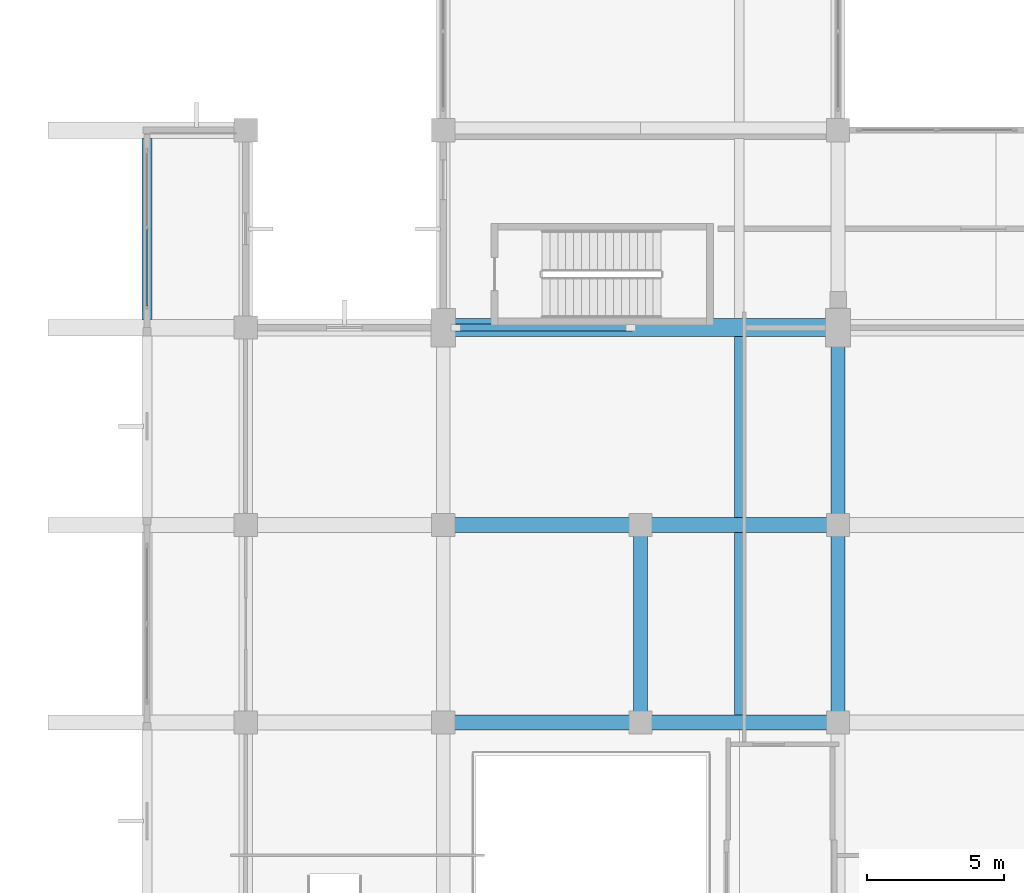
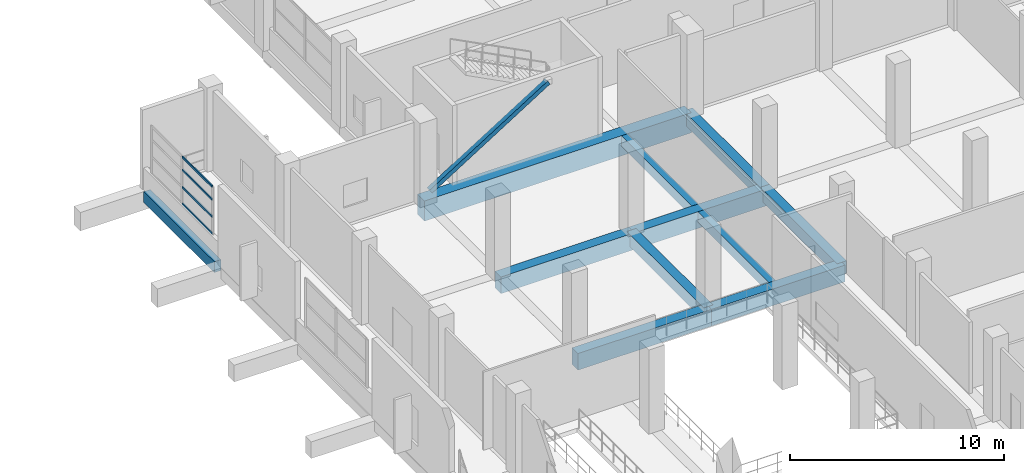
# One storey, part 63 of 181: 11 beams, 5 members, 1 element without a shape of its own.
"""IFC4 building model written with IfcOpenShell, lengths in metres."""

from ifc_helpers import new_model, si_unit, direction, frame, origin, origin_2d, place, context, subcontext, project, spatial, rectangle, hollow_rectangle, extrude, material, layer, layer_set, material_profile, profile_set, type_object, element, aggregate, save


model = new_model("IFC4")

# Units and contexts
model_context = context("Model", 3, precision=1e-05, world=origin(), true_north=direction((0.0, 1.0)))
body_context = subcontext(model_context, "Body", "Model", "MODEL_VIEW")
ifc_project = project(units=[si_unit("LENGTHUNIT", "METRE"), si_unit("AREAUNIT", "SQUARE_METRE"), si_unit("VOLUMEUNIT", "CUBIC_METRE"), si_unit("PLANEANGLEUNIT", "RADIAN"), si_unit("MASSUNIT", "GRAM", prefix="KILO")], contexts=[model_context])

# Site, building, storey
site_placement = place(None, origin())
site = spatial("IfcSite", under=ifc_project, at=site_placement, CompositionType="ELEMENT")
building_placement = place(site_placement, origin())
building = spatial("IfcBuilding", under=site, at=building_placement, Name="Seraya Terrace Polytechnic", CompositionType="ELEMENT")
storey_placement = place(building_placement, frame((0.0, 0.0, 4.800048828125)))
storey = spatial("IfcBuildingStorey", under=building, at=storey_placement, Name="L01", CompositionType="ELEMENT", Elevation=4.800048828125)

# Beams
ifc_material_1 = material(Name="Concrete C40/50", Category="concrete")
ifc_material_profile_1 = material_profile(ifc_material_1, rectangle(XDim=0.64990234375, YDim=1.14990234375, at=origin_2d()), Name="RC 650x1150")
ifc_profile_set_1 = profile_set([ifc_material_profile_1], Name="Concrete C40/50")
beam_type_1 = type_object("IfcBeamType", Name="BG-02", PredefinedType="USERDEFINED", material=ifc_profile_set_1)
beam_1_placement = place(storey_placement, frame((14.39990234375, 79.199951171875, -0.574951171875), z_axis=(1.0, 0.0, 0.0), x_axis=(0.0, 1.0, 0.0)))
element("IfcBeam", 1, at=beam_1_placement, inside=storey, type_object=beam_type_1, Name="Beam BG-02 L01 X (14.4..28.8, 79.2)", ObjectType="GIRDER", PredefinedType="USERDEFINED", context=body_context, shape_type="SweptSolid", body=[
    extrude(rectangle(XDim=0.64990234375, YDim=1.14990234375, at=origin_2d()), origin(), (0.0, 0.0, 1.0), 14.400146484375),
])
ifc_material_profile_2 = material_profile(ifc_material_1, rectangle(XDim=0.550048828125, YDim=0.949951171875, at=origin_2d()), Name="RC 550x950")
ifc_profile_set_2 = profile_set([ifc_material_profile_2], Name="Concrete C40/50")
beam_type_2 = type_object("IfcBeamType", Name="BM-03", PredefinedType="BEAM", material=ifc_profile_set_2)
beam_2_placement = place(storey_placement, frame((14.39990234375, 64.800048828125, -0.47509765625), z_axis=(1.0, 0.0, 0.0), x_axis=(0.0, 1.0, 0.0)))
element("IfcBeam", 2, at=beam_2_placement, inside=storey, type_object=beam_type_2, Name="Beam BM-03 L01 X (14.4..21.6, 64.8)", PredefinedType="BEAM", context=body_context, shape_type="SweptSolid", body=[
    extrude(rectangle(XDim=0.550048828125, YDim=0.949951171875, at=origin_2d()), origin(), (0.0, 0.0, 1.0), 7.2001953125),
])
beam_3_placement = place(storey_placement, frame((21.60009765625, 64.800048828125, -0.47509765625), z_axis=(1.0, 0.0, 0.0), x_axis=(0.0, 1.0, 0.0)))
element("IfcBeam", 3, at=beam_3_placement, inside=storey, type_object=beam_type_2, Name="Beam BM-03 L01 X (21.6..28.8, 64.8)", PredefinedType="BEAM", context=body_context, shape_type="SweptSolid", body=[
    extrude(rectangle(XDim=0.550048828125, YDim=0.949951171875, at=origin_2d()), origin(), (0.0, 0.0, 1.0), 7.199951171875),
])
beam_4_placement = place(storey_placement, frame((14.39990234375, 72.0, -0.47509765625), z_axis=(1.0, 0.0, 0.0), x_axis=(0.0, 1.0, 0.0)))
element("IfcBeam", 4, at=beam_4_placement, inside=storey, type_object=beam_type_2, Name="Beam BM-03 L01 X (14.4..21.6, 72.0)", PredefinedType="BEAM", context=body_context, shape_type="SweptSolid", body=[
    extrude(rectangle(XDim=0.550048828125, YDim=0.949951171875, at=origin_2d()), origin(), (0.0, 0.0, 1.0), 7.2001953125),
])
beam_5_placement = place(storey_placement, frame((21.60009765625, 72.0, -0.47509765625), z_axis=(1.0, 0.0, 0.0), x_axis=(0.0, 1.0, 0.0)))
element("IfcBeam", 5, at=beam_5_placement, inside=storey, type_object=beam_type_2, Name="Beam BM-03 L01 X (21.6..28.8, 72.0)", PredefinedType="BEAM", context=body_context, shape_type="SweptSolid", body=[
    extrude(rectangle(XDim=0.550048828125, YDim=0.949951171875, at=origin_2d()), origin(), (0.0, 0.0, 1.0), 7.199951171875),
])
ifc_material_profile_3 = material_profile(ifc_material_1, rectangle(XDim=0.5, YDim=0.699951171875, at=origin_2d()), Name="RC 500x700")
ifc_profile_set_3 = profile_set([ifc_material_profile_3], Name="Concrete C40/50")
beam_type_3 = type_object("IfcBeamType", Name="BM-07", PredefinedType="BEAM", material=ifc_profile_set_3)
for number, where, z_axis, x_axis, name in (
    (6, (21.60009765625, 64.800048828125, -0.35009765625), (0.0, 1.0, 0.0), (-1.0, 0.0, 0.0), "Beam BM-07 L01 Y (21.6, 64.8..72.0)"),
    (7, (28.800048828125, 64.800048828125, -0.35009765625), (0.0, 1.0, 0.0), (-1.0, 0.0, 0.0), "Beam BM-07 L01 Y (28.8, 64.8..72.0)"),
    (8, (28.800048828125, 72.0, -0.35009765625), (0.0, 1.0, 0.0), (-1.0, 0.0, 0.0), "Beam BM-07 L01 Y (28.8, 72.0..79.2)"),
):
    element("IfcBeam", number, at=place(storey_placement, frame(where, z_axis=z_axis, x_axis=x_axis)), inside=storey, type_object=beam_type_3, Name=name, PredefinedType="BEAM", context=body_context, shape_type="SweptSolid", body=[
        extrude(rectangle(XDim=0.5, YDim=0.699951171875, at=origin_2d()), origin(), (0.0, 0.0, 1.0), 7.199951171875),
    ])

# Member
ifc_material_2 = material(Name="Steel S355J2", Category="steel")
ifc_material_profile_4 = material_profile(ifc_material_2, hollow_rectangle(XDim=0.25, YDim=0.25, WallThickness=0.012451171875, at=origin_2d()), Name="SHS 250x250x12.5")
ifc_profile_set_4 = profile_set([ifc_material_profile_4], Name="Steel S355J2")
member_type_1 = type_object("IfcMemberType", Name="BR-04", PredefinedType="BRACE", material=ifc_profile_set_4)
member_1_placement = place(storey_placement, frame((14.864990234375, 79.199951171875, 0.25), z_axis=(0.846880470544, 0.0, 0.531783291024), x_axis=(0.0, 1.0, 0.0)))
element("IfcMember", 9, at=member_1_placement, inside=storey, type_object=member_type_1, Name="Solid-bay vertical wind brace L01 SW", PredefinedType="BRACE", context=body_context, shape_type="SweptSolid", body=[
    extrude(hollow_rectangle(XDim=0.25, YDim=0.25, WallThickness=0.012451171875, at=origin_2d()), origin(), (0.0, 0.0, 1.0), 7.52197265625),
])

# Curtain wall, members
ifc_material_3 = material(Name="Anodised aluminium EN AW-6063 T6", Category="aluminium")
ifc_layer = layer(ifc_material_3, 0.179931640625, Name="CW-05")
ifc_layer_set = layer_set([ifc_layer], Name="Anodised aluminium EN AW-6063 T6")
curtain_wall_type = type_object("IfcCurtainWallType", Name="CW-05", PredefinedType="NOTDEFINED", material=ifc_layer_set)
curtain_wall_placement = place(storey_placement, origin())
curtain_wall = element("IfcCurtainWall", 10, at=curtain_wall_placement, inside=storey, type_object=curtain_wall_type, Name="Unitised curtain wall CW-05 (CW-L01-005)", PredefinedType="NOTDEFINED")
ifc_material_profile_5 = material_profile(ifc_material_3, hollow_rectangle(XDim=0.06005859375, YDim=0.1201171875, WallThickness=0.003173828125, at=origin_2d()), Name="RHS 120x60x3.2")
ifc_profile_set_5 = profile_set([ifc_material_profile_5], Name="Anodised aluminium EN AW-6063 T6")
member_type_2 = type_object("IfcMemberType", Name="CWT-02", PredefinedType="USERDEFINED", material=ifc_profile_set_5)
member_2_placement = place(storey_placement, frame((3.60009765625, 79.97998046875, 1.27001953125), z_axis=(0.0, 1.0, 0.0), x_axis=(-1.0, 0.0, 0.0)))
member_2 = element("IfcMember", 11, at=member_2_placement, type_object=member_type_2, Name="CW-05 transom 1.1", ObjectType="TRANSOM", PredefinedType="USERDEFINED", context=body_context, shape_type="SweptSolid", body=[
    extrude(hollow_rectangle(XDim=0.06005859375, YDim=0.1201171875, WallThickness=0.003173828125, at=origin_2d()), origin(), (0.0, 0.0, 1.0), 2.7900390625),
])
member_3_placement = place(storey_placement, frame((3.60009765625, 79.97998046875, 2.21923828125), z_axis=(0.0, 1.0, 0.0), x_axis=(-1.0, 0.0, 0.0)))
member_3 = element("IfcMember", 12, at=member_3_placement, type_object=member_type_2, Name="CW-05 transom 1.2", ObjectType="TRANSOM", PredefinedType="USERDEFINED", context=body_context, shape_type="SweptSolid", body=[
    extrude(hollow_rectangle(XDim=0.06005859375, YDim=0.1201171875, WallThickness=0.003173828125, at=origin_2d()), origin(), (0.0, 0.0, 1.0), 2.7900390625),
])
member_4_placement = place(storey_placement, frame((3.60009765625, 79.97998046875, 3.1982421875), z_axis=(0.0, 1.0, 0.0), x_axis=(-1.0, 0.0, 0.0)))
member_4 = element("IfcMember", 13, at=member_4_placement, type_object=member_type_2, Name="CW-05 transom 1.3", ObjectType="TRANSOM", PredefinedType="USERDEFINED", context=body_context, shape_type="SweptSolid", body=[
    extrude(hollow_rectangle(XDim=0.06005859375, YDim=0.1201171875, WallThickness=0.003173828125, at=origin_2d()), origin(), (0.0, 0.0, 1.0), 2.7900390625),
])
member_5_placement = place(storey_placement, frame((3.60009765625, 79.97998046875, 3.929931640625), z_axis=(0.0, 1.0, 0.0), x_axis=(-1.0, 0.0, 0.0)))
member_5 = element("IfcMember", 14, at=member_5_placement, type_object=member_type_2, Name="CW-05 transom 1.4", ObjectType="TRANSOM", PredefinedType="USERDEFINED", context=body_context, shape_type="SweptSolid", body=[
    extrude(hollow_rectangle(XDim=0.06005859375, YDim=0.1201171875, WallThickness=0.003173828125, at=origin_2d()), origin(), (0.0, 0.0, 1.0), 2.7900390625),
])
aggregate(curtain_wall, [member_2, member_3, member_4, member_5])

# Beams
ifc_material_profile_6 = material_profile(ifc_material_1, rectangle(XDim=0.360107421875, YDim=0.6201171875, at=origin_2d()), Name="RC 360x620")
ifc_profile_set_6 = profile_set([ifc_material_profile_6], Name="Concrete C40/50")
beam_type_4 = type_object("IfcBeamType", Name="JS-01", PredefinedType="JOIST", material=ifc_profile_set_6)
beam_6_placement = place(storey_placement, frame((3.60009765625, 79.5, -0.31005859375), z_axis=(0.0, 1.0, 0.0), x_axis=(-1.0, 0.0, 0.0)))
element("IfcBeam", 15, at=beam_6_placement, inside=storey, type_object=beam_type_4, Name="Secondary joist JS-01 L01", PredefinedType="JOIST", context=body_context, shape_type="SweptSolid", body=[
    extrude(rectangle(XDim=0.360107421875, YDim=0.6201171875, at=origin_2d()), origin(), (0.0, 0.0, 1.0), 6.60009765625),
])
ifc_material_profile_7 = material_profile(ifc_material_1, rectangle(XDim=0.35009765625, YDim=0.60009765625, at=origin_2d()), Name="RC 350x600")
ifc_profile_set_7 = profile_set([ifc_material_profile_7], Name="Concrete C40/50")
beam_type_5 = type_object("IfcBeamType", Name="JS-02", PredefinedType="JOIST", material=ifc_profile_set_7)
beam_7_placement = place(storey_placement, frame((25.199951171875, 65.074951171875, -0.300048828125), z_axis=(0.0, 1.0, 0.0), x_axis=(-1.0, 0.0, 0.0)))
element("IfcBeam", 16, at=beam_7_placement, inside=storey, type_object=beam_type_5, Name="Secondary joist JS-02 L01", PredefinedType="JOIST", context=body_context, shape_type="SweptSolid", body=[
    extrude(rectangle(XDim=0.35009765625, YDim=0.60009765625, at=origin_2d()), origin(), (0.0, 0.0, 1.0), 6.650146484375),
])
beam_8_placement = place(storey_placement, frame((25.199951171875, 72.27490234375, -0.300048828125), z_axis=(0.0, 1.0, 0.0), x_axis=(-1.0, 0.0, 0.0)))
element("IfcBeam", 17, at=beam_8_placement, inside=storey, type_object=beam_type_5, Name="Secondary joist JS-02 L01", PredefinedType="JOIST", context=body_context, shape_type="SweptSolid", body=[
    extrude(rectangle(XDim=0.35009765625, YDim=0.60009765625, at=origin_2d()), origin(), (0.0, 0.0, 1.0), 6.60009765625),
])

save(model, "model.ifc")
